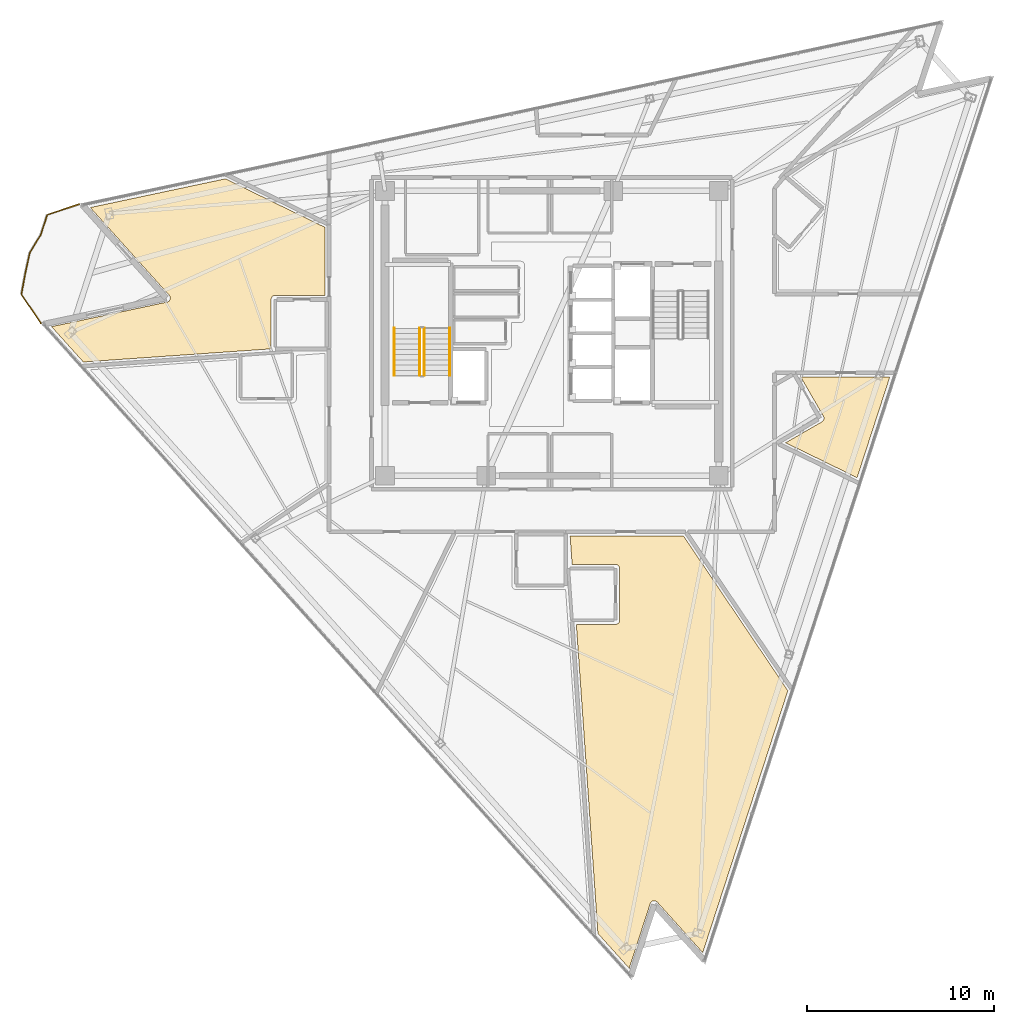
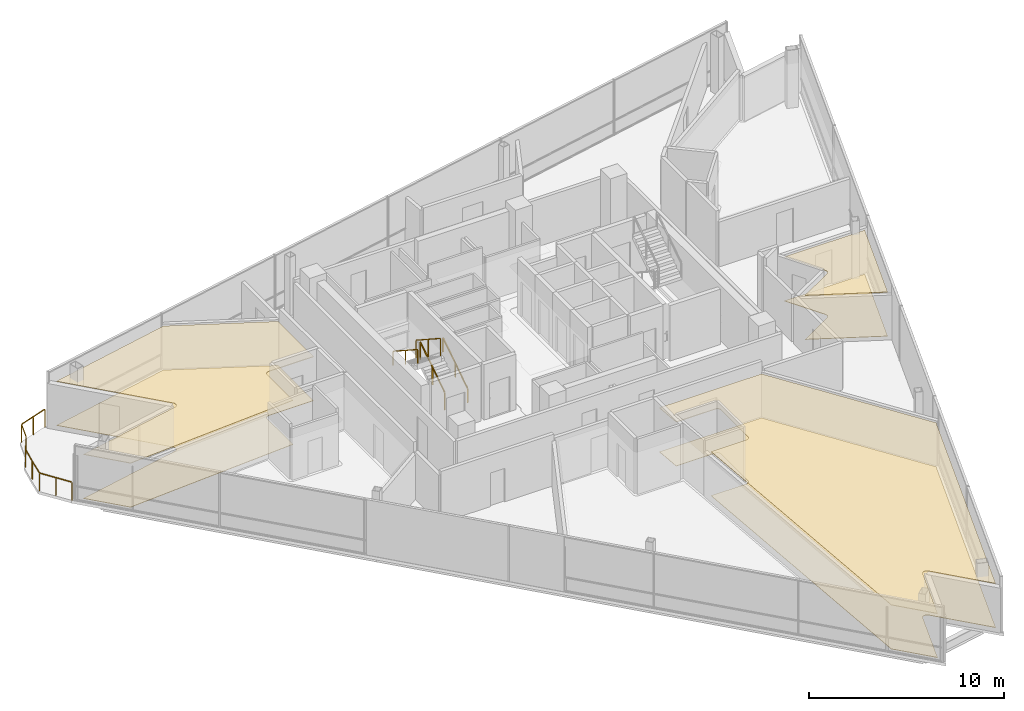
# One storey, part 16 of 18: 6 coverings, 5 railings.
"""IFC4 building model written with IfcOpenShell, lengths in metres."""

from ifc_helpers import new_model, si_unit, direction, frame, origin, origin_2d, place, context, subcontext, project, spatial, polyline, rectangle, outline, extrude, material, layer, layer_set, type_object, element, save


model = new_model("IFC4")

# Units and contexts
model_context = context("Model", 3, precision=1e-05, world=origin(), true_north=direction((0.0, 1.0)))
body_context = subcontext(model_context, "Body", "Model", "MODEL_VIEW")
ifc_project = project(units=[si_unit("LENGTHUNIT", "METRE"), si_unit("AREAUNIT", "SQUARE_METRE"), si_unit("VOLUMEUNIT", "CUBIC_METRE"), si_unit("PLANEANGLEUNIT", "RADIAN"), si_unit("MASSUNIT", "GRAM", prefix="KILO")], contexts=[model_context])

# Site, building, storey
site_placement = place(None, origin())
site = spatial("IfcSite", under=ifc_project, at=site_placement, CompositionType="ELEMENT")
building_placement = place(site_placement, origin())
building = spatial("IfcBuilding", under=site, at=building_placement, Name="Tharavind Bronze Gate", CompositionType="ELEMENT")
storey_placement = place(building_placement, frame((0.0, 0.0, 287.050048828125)))
storey = spatial("IfcBuildingStorey", under=building, at=storey_placement, Name="L74", CompositionType="ELEMENT", Elevation=287.050048828125)

# Coverings
ifc_material_1 = material(Name="Engineered Oak & Carpet Tile", Category="wood")
ifc_layer_1 = layer(ifc_material_1, 0.02490234375)
ifc_layer_set_1 = layer_set([ifc_layer_1], Name="Engineered Oak & Carpet Tile")
covering_type_1 = type_object("IfcCoveringType", Name="ENGINEERED TIMBER FLOORING", PredefinedType="FLOORING", material=ifc_layer_set_1)
covering_1_placement = place(storey_placement, origin())
element("IfcCovering", 1, at=covering_1_placement, inside=storey, type_object=covering_type_1, Name="L74-RM-05 floor finish", PredefinedType="FLOORING", context=body_context, shape_type="SweptSolid", body=[
    extrude(outline(polyline([(-24.988525390625, -1.52685546875), (-14.969970703125, -0.826416015625), (-14.969970703125, 1.810791015625), (-14.968994140625, 1.83251953125), (-14.9658203125, 1.853759765625), (-14.96044921875, 1.874755859375), (-14.953369140625, 1.89501953125), (-14.944091796875, 1.91455078125), (-14.932861328125, 1.93310546875), (-14.920166015625, 1.950439453125), (-14.905517578125, 1.96630859375), (-14.8896484375, 1.98095703125), (-14.872314453125, 1.993896484375), (-14.853759765625, 2.0048828125), (-14.834228515625, 2.01416015625), (-14.81396484375, 2.021484375), (-14.79296875, 2.026611328125), (-14.771484375, 2.02978515625), (-14.75, 2.031005859375), (-12.10009765625, 2.031005859375), (-12.10009765625, 5.65673828125), (-17.408203125, 8.24560546875), (-24.62255859375, 6.712158203125), (-20.408203125, 2.03173828125), (-20.401123046875, 2.023193359375), (-20.400634765625, 2.02294921875), (-20.3876953125, 2.005126953125), (-20.376708984375, 1.986328125), (-20.367431640625, 1.96630859375), (-20.360107421875, 1.94580078125), (-20.35498046875, 1.92431640625), (-20.35205078125, 1.902587890625), (-20.351318359375, 1.880615234375), (-20.352783203125, 1.85888671875), (-20.3564453125, 1.837158203125), (-20.362060546875, 1.81591796875), (-20.369873046875, 1.79541015625), (-20.379638671875, 1.77587890625), (-20.3916015625, 1.75732421875), (-20.405029296875, 1.739990234375), (-20.420166015625, 1.72412109375), (-20.436767578125, 1.7099609375), (-20.454833984375, 1.697509765625), (-20.473876953125, 1.686767578125), (-20.494140625, 1.677978515625), (-20.514892578125, 1.67138671875), (-20.515380859375, 1.671142578125), (-20.526123046875, 1.668701171875), (-26.686767578125, 0.359130859375), (-24.988525390625, -1.52685546875)])), origin(), (0.0, 0.0, 1.0), 0.02490234375),
])
covering_2_placement = place(storey_placement, origin())
element("IfcCovering", 2, at=covering_2_placement, inside=storey, type_object=covering_type_1, Name="L74-RM-09 floor finish", PredefinedType="FLOORING", context=body_context, shape_type="SweptSolid", body=[
    extrude(outline(polyline([(1.082763671875, -12.330078125), (3.398193359375, -12.330078125), (3.419921875, -12.3310546875), (3.441162109375, -12.334228515625), (3.462158203125, -12.339599609375), (3.482421875, -12.3466796875), (3.501953125, -12.35595703125), (3.5205078125, -12.3671875), (3.537841796875, -12.3798828125), (3.5537109375, -12.394287109375), (3.568359375, -12.410400390625), (3.5810546875, -12.427734375), (3.59228515625, -12.4462890625), (3.6015625, -12.4658203125), (3.608642578125, -12.486083984375), (3.614013671875, -12.507080078125), (3.6171875, -12.5283203125), (3.6181640625, -12.550048828125), (3.6181640625, -15.300048828125), (3.6171875, -15.321533203125), (3.614013671875, -15.343017578125), (3.608642578125, -15.364013671875), (3.6015625, -15.38427734375), (3.59228515625, -15.40380859375), (3.5810546875, -15.422119140625), (3.568359375, -15.439697265625), (3.5537109375, -15.45556640625), (3.537841796875, -15.47021484375), (3.5205078125, -15.48291015625), (3.501953125, -15.493896484375), (3.482421875, -15.50341796875), (3.462158203125, -15.510498046875), (3.441162109375, -15.515869140625), (3.419921875, -15.518798828125), (3.398193359375, -15.52001953125), (1.305908203125, -15.52001953125), (2.458984375, -32.010498046875), (4.12939453125, -33.865478515625), (5.25, -30.416748046875), (5.25341796875, -30.406494140625), (5.253662109375, -30.406005859375), (5.262451171875, -30.3857421875), (5.273193359375, -30.36669921875), (5.285888671875, -30.348876953125), (5.30029296875, -30.332275390625), (5.316162109375, -30.317138671875), (5.33349609375, -30.3037109375), (5.352294921875, -30.2919921875), (5.371826171875, -30.282470703125), (5.392333984375, -30.274658203125), (5.41357421875, -30.26904296875), (5.435302734375, -30.265625), (5.45703125, -30.264404296875), (5.47900390625, -30.26513671875), (5.500732421875, -30.268310546875), (5.522216796875, -30.2734375), (5.542724609375, -30.28076171875), (5.5625, -30.2900390625), (5.581298828125, -30.30126953125), (5.59912109375, -30.314208984375), (5.615234375, -30.3291015625), (5.61572265625, -30.32958984375), (5.623291015625, -30.33740234375), (8.0498046875, -33.0322265625), (12.590087890625, -19.058837890625), (7.019287109375, -10.800048828125), (0.9755859375, -10.800048828125), (1.082763671875, -12.330078125)])), origin(), (0.0, 0.0, 1.0), 0.02490234375),
])
covering_3_placement = place(storey_placement, origin())
element("IfcCovering", 3, at=covering_3_placement, inside=storey, type_object=covering_type_1, Name="L74-RM-11 floor finish", PredefinedType="FLOORING", context=body_context, shape_type="SweptSolid", body=[
    extrude(outline(polyline([(14.485595703125, -4.417724609375), (14.495361328125, -4.43701171875), (14.50341796875, -4.45703125), (14.50927734375, -4.477783203125), (14.51318359375, -4.4990234375), (14.514892578125, -4.5205078125), (14.514404296875, -4.542236328125), (14.511962890625, -4.563720703125), (14.507568359375, -4.584716796875), (14.5009765625, -4.605224609375), (14.4921875, -4.625), (14.481689453125, -4.64404296875), (14.469482421875, -4.661865234375), (14.45556640625, -4.67822265625), (14.43994140625, -4.693115234375), (14.423095703125, -4.706787109375), (14.405029296875, -4.71826171875), (12.46826171875, -5.83642578125), (16.281982421875, -7.6962890625), (18.02880859375, -2.320068359375), (13.2744140625, -2.320068359375), (14.485595703125, -4.417724609375)])), origin(), (0.0, 0.0, 1.0), 0.02490234375),
])
ifc_material_2 = material(Name="Acoustic Gypsum Board", Category="gypsum")
ifc_layer_2 = layer(ifc_material_2, 0.030029296875)
ifc_layer_set_2 = layer_set([ifc_layer_2], Name="Acoustic Gypsum Board")
covering_type_2 = type_object("IfcCoveringType", Name="GYPSUM SUSPENDED CEILING", PredefinedType="CEILING", material=ifc_layer_set_2)
covering_4_placement = place(storey_placement, frame((0.0, 0.0, 2.75)))
element("IfcCovering", 4, at=covering_4_placement, inside=storey, type_object=covering_type_2, Name="L74-RM-05 suspended ceiling", PredefinedType="CEILING", context=body_context, shape_type="SweptSolid", body=[
    extrude(outline(polyline([(-24.988525390625, -1.52685546875), (-14.969970703125, -0.826416015625), (-14.969970703125, 1.810791015625), (-14.968994140625, 1.83251953125), (-14.9658203125, 1.853759765625), (-14.96044921875, 1.874755859375), (-14.953369140625, 1.89501953125), (-14.944091796875, 1.91455078125), (-14.932861328125, 1.93310546875), (-14.920166015625, 1.950439453125), (-14.905517578125, 1.96630859375), (-14.8896484375, 1.98095703125), (-14.872314453125, 1.993896484375), (-14.853759765625, 2.0048828125), (-14.834228515625, 2.01416015625), (-14.81396484375, 2.021484375), (-14.79296875, 2.026611328125), (-14.771484375, 2.02978515625), (-14.75, 2.031005859375), (-12.10009765625, 2.031005859375), (-12.10009765625, 5.65673828125), (-17.408203125, 8.24560546875), (-24.62255859375, 6.712158203125), (-20.408203125, 2.03173828125), (-20.401123046875, 2.023193359375), (-20.400634765625, 2.02294921875), (-20.3876953125, 2.005126953125), (-20.376708984375, 1.986328125), (-20.367431640625, 1.96630859375), (-20.360107421875, 1.94580078125), (-20.35498046875, 1.92431640625), (-20.35205078125, 1.902587890625), (-20.351318359375, 1.880615234375), (-20.352783203125, 1.85888671875), (-20.3564453125, 1.837158203125), (-20.362060546875, 1.81591796875), (-20.369873046875, 1.79541015625), (-20.379638671875, 1.77587890625), (-20.3916015625, 1.75732421875), (-20.405029296875, 1.739990234375), (-20.420166015625, 1.72412109375), (-20.436767578125, 1.7099609375), (-20.454833984375, 1.697509765625), (-20.473876953125, 1.686767578125), (-20.494140625, 1.677978515625), (-20.514892578125, 1.67138671875), (-20.515380859375, 1.671142578125), (-20.526123046875, 1.668701171875), (-26.686767578125, 0.359130859375), (-24.988525390625, -1.52685546875)])), origin(), (0.0, 0.0, 1.0), 0.034912109375),
])
covering_5_placement = place(storey_placement, frame((0.0, 0.0, 2.75)))
element("IfcCovering", 5, at=covering_5_placement, inside=storey, type_object=covering_type_2, Name="L74-RM-09 suspended ceiling", PredefinedType="CEILING", context=body_context, shape_type="SweptSolid", body=[
    extrude(outline(polyline([(1.082763671875, -12.330078125), (3.398193359375, -12.330078125), (3.419921875, -12.3310546875), (3.441162109375, -12.334228515625), (3.462158203125, -12.339599609375), (3.482421875, -12.3466796875), (3.501953125, -12.35595703125), (3.5205078125, -12.3671875), (3.537841796875, -12.3798828125), (3.5537109375, -12.394287109375), (3.568359375, -12.410400390625), (3.5810546875, -12.427734375), (3.59228515625, -12.4462890625), (3.6015625, -12.4658203125), (3.608642578125, -12.486083984375), (3.614013671875, -12.507080078125), (3.6171875, -12.5283203125), (3.6181640625, -12.550048828125), (3.6181640625, -15.300048828125), (3.6171875, -15.321533203125), (3.614013671875, -15.343017578125), (3.608642578125, -15.364013671875), (3.6015625, -15.38427734375), (3.59228515625, -15.40380859375), (3.5810546875, -15.422119140625), (3.568359375, -15.439697265625), (3.5537109375, -15.45556640625), (3.537841796875, -15.47021484375), (3.5205078125, -15.48291015625), (3.501953125, -15.493896484375), (3.482421875, -15.50341796875), (3.462158203125, -15.510498046875), (3.441162109375, -15.515869140625), (3.419921875, -15.518798828125), (3.398193359375, -15.52001953125), (1.305908203125, -15.52001953125), (2.458984375, -32.010498046875), (4.12939453125, -33.865478515625), (5.25, -30.416748046875), (5.25341796875, -30.406494140625), (5.253662109375, -30.406005859375), (5.262451171875, -30.3857421875), (5.273193359375, -30.36669921875), (5.285888671875, -30.348876953125), (5.30029296875, -30.332275390625), (5.316162109375, -30.317138671875), (5.33349609375, -30.3037109375), (5.352294921875, -30.2919921875), (5.371826171875, -30.282470703125), (5.392333984375, -30.274658203125), (5.41357421875, -30.26904296875), (5.435302734375, -30.265625), (5.45703125, -30.264404296875), (5.47900390625, -30.26513671875), (5.500732421875, -30.268310546875), (5.522216796875, -30.2734375), (5.542724609375, -30.28076171875), (5.5625, -30.2900390625), (5.581298828125, -30.30126953125), (5.59912109375, -30.314208984375), (5.615234375, -30.3291015625), (5.61572265625, -30.32958984375), (5.623291015625, -30.33740234375), (8.0498046875, -33.0322265625), (12.590087890625, -19.058837890625), (7.019287109375, -10.800048828125), (0.9755859375, -10.800048828125), (1.082763671875, -12.330078125)])), origin(), (0.0, 0.0, 1.0), 0.034912109375),
])
covering_6_placement = place(storey_placement, frame((0.0, 0.0, 2.75)))
element("IfcCovering", 6, at=covering_6_placement, inside=storey, type_object=covering_type_2, Name="L74-RM-11 suspended ceiling", PredefinedType="CEILING", context=body_context, shape_type="SweptSolid", body=[
    extrude(outline(polyline([(14.485595703125, -4.417724609375), (14.495361328125, -4.43701171875), (14.50341796875, -4.45703125), (14.50927734375, -4.477783203125), (14.51318359375, -4.4990234375), (14.514892578125, -4.5205078125), (14.514404296875, -4.542236328125), (14.511962890625, -4.563720703125), (14.507568359375, -4.584716796875), (14.5009765625, -4.605224609375), (14.4921875, -4.625), (14.481689453125, -4.64404296875), (14.469482421875, -4.661865234375), (14.45556640625, -4.67822265625), (14.43994140625, -4.693115234375), (14.423095703125, -4.706787109375), (14.405029296875, -4.71826171875), (12.46826171875, -5.83642578125), (16.281982421875, -7.6962890625), (18.02880859375, -2.320068359375), (13.2744140625, -2.320068359375), (14.485595703125, -4.417724609375)])), origin(), (0.0, 0.0, 1.0), 0.034912109375),
])

# Railings
ifc_material_3 = material(Name="Brushed Bronze Alloy", Category="metal")
railing_type_1 = type_object("IfcRailingType", Name="STAIR BRONZE HANDRAIL 900", PredefinedType="HANDRAIL", material=ifc_material_3)
railing_1_placement = place(storey_placement, frame((-5.449951171875, -2.25, 0.182373046875)))
element("IfcRailing", 7, at=railing_1_placement, inside=storey, type_object=railing_type_1, Name="L74 ST1 stair handrail 1", PredefinedType="HANDRAIL", context=body_context, shape_type="SweptSolid", body=[
    extrude(rectangle(XDim=0.048095703125, YDim=0.048095703125, at=origin_2d()), frame((0.0, 0.02685546875, 0.893310546875), z_axis=(0.0, 0.837749427056, 0.546054848405), x_axis=(-1.0, 0.0, 0.0)), (0.0, 0.0, 1.0), 2.944091796875),
    extrude(rectangle(XDim=0.0400390625, YDim=0.0400390625, at=origin_2d()), origin(), (0.0, 0.0, 1.0), 0.847900390625),
    extrude(rectangle(XDim=0.0400390625, YDim=0.0400390625, at=origin_2d()), frame((0.0, 1.260009765625, 0.8212890625)), (0.0, 0.0, 1.0), 0.847900390625),
    extrude(rectangle(XDim=0.0400390625, YDim=0.0400390625, at=origin_2d()), frame((0.0, 2.52001953125, 1.642578125)), (0.0, 0.0, 1.0), 0.847900390625),
])
railing_2_placement = place(storey_placement, frame((-8.39990234375, 0.27001953125, 2.007568359375)))
element("IfcRailing", 8, at=railing_2_placement, inside=storey, type_object=railing_type_1, Name="L74 ST1 stair handrail 2", PredefinedType="HANDRAIL", context=body_context, shape_type="SweptSolid", body=[
    extrude(rectangle(XDim=0.048095703125, YDim=0.048095703125, at=origin_2d()), frame((0.0, -0.02685546875, 0.893310546875), z_axis=(0.0, -0.837786554691, 0.545997883492), x_axis=(1.0, 0.0, 0.0)), (0.0, 0.0, 1.0), 2.94384765625),
    extrude(rectangle(XDim=0.0400390625, YDim=0.0400390625, at=origin_2d()), origin(), (0.0, 0.0, 1.0), 0.847900390625),
    extrude(rectangle(XDim=0.0400390625, YDim=0.0400390625, at=origin_2d()), frame((0.0, -1.260009765625, 0.8212890625)), (0.0, 0.0, 1.0), 0.847900390625),
    extrude(rectangle(XDim=0.0400390625, YDim=0.0400390625, at=origin_2d()), frame((0.0, -2.52001953125, 1.642333984375)), (0.0, 0.0, 1.0), 0.847900390625),
])
railing_type_2 = type_object("IfcRailingType", Name="STAIR WELL GUARD RAILING 1120", PredefinedType="GUARDRAIL", material=ifc_material_3)
railing_3_placement = place(storey_placement, frame((-6.800048828125, -2.25, 0.182373046875)))
element("IfcRailing", 9, at=railing_3_placement, inside=storey, type_object=railing_type_2, Name="L74 ST1 stair guard 1", PredefinedType="GUARDRAIL", context=body_context, shape_type="SweptSolid", body=[
    extrude(rectangle(XDim=0.048095703125, YDim=0.048095703125, at=origin_2d()), frame((0.0, 0.02685546875, 1.113525390625), z_axis=(0.0, 0.837749427056, 0.546054848405), x_axis=(-1.0, 0.0, 0.0)), (0.0, 0.0, 1.0), 2.944091796875),
    extrude(rectangle(XDim=0.0400390625, YDim=0.0400390625, at=origin_2d()), origin(), (0.0, 0.0, 1.0), 1.068115234375),
    extrude(rectangle(XDim=0.0400390625, YDim=0.0400390625, at=origin_2d()), frame((0.0, 1.260009765625, 0.8212890625)), (0.0, 0.0, 1.0), 1.068115234375),
    extrude(rectangle(XDim=0.0400390625, YDim=0.0400390625, at=origin_2d()), frame((0.0, 2.52001953125, 1.642578125)), (0.0, 0.0, 1.0), 1.068115234375),
])
railing_4_placement = place(storey_placement, frame((-7.050048828125, 0.27001953125, 2.007568359375)))
element("IfcRailing", 10, at=railing_4_placement, inside=storey, type_object=railing_type_2, Name="L74 ST1 stair guard 3", PredefinedType="GUARDRAIL", context=body_context, shape_type="SweptSolid", body=[
    extrude(rectangle(XDim=0.048095703125, YDim=0.048095703125, at=origin_2d()), frame((0.0, -0.02685546875, 1.113525390625), z_axis=(0.0, -0.837786554691, 0.545997883492), x_axis=(1.0, 0.0, 0.0)), (0.0, 0.0, 1.0), 2.94384765625),
    extrude(rectangle(XDim=0.0400390625, YDim=0.0400390625, at=origin_2d()), origin(), (0.0, 0.0, 1.0), 1.068115234375),
    extrude(rectangle(XDim=0.0400390625, YDim=0.0400390625, at=origin_2d()), frame((0.0, -1.260009765625, 0.8212890625)), (0.0, 0.0, 1.0), 1.068115234375),
    extrude(rectangle(XDim=0.0400390625, YDim=0.0400390625, at=origin_2d()), frame((0.0, -2.52001953125, 1.642333984375)), (0.0, 0.0, 1.0), 1.068115234375),
])
ifc_material_4 = material(Name="Bronze Cap & Laminated Glass", Category="glass")
railing_type_3 = type_object("IfcRailingType", Name="TERRACE GLASS GUARD RAILING 1150", PredefinedType="GUARDRAIL", material=ifc_material_4)
railing_5_placement = place(storey_placement, frame((-27.257568359375, 0.544677734375, 0.0)))
element("IfcRailing", 11, at=railing_5_placement, inside=storey, type_object=railing_type_3, Name="L74 tree balcony guard railing", PredefinedType="GUARDRAIL", context=body_context, shape_type="SweptSolid", body=[
    extrude(rectangle(XDim=0.048095703125, YDim=0.048095703125, at=origin_2d()), frame((-0.017822265625, 0.026611328125, 1.1259765625), z_axis=(-0.558006967266, 0.829836263658, 0.0), x_axis=(-0.829836263658, -0.558006967266, 0.0)), (0.0, 0.0, 1.0), 1.790771484375),
    extrude(rectangle(XDim=0.048095703125, YDim=0.048095703125, at=origin_2d()), frame((-1.029052734375, 1.570556640625, 1.1259765625), z_axis=(0.181084966823, 0.983467454871, 0.0), x_axis=(-0.983467454871, 0.181084966823, 0.0)), (0.0, 0.0, 1.0), 1.05908203125),
    extrude(rectangle(XDim=0.048095703125, YDim=0.048095703125, at=origin_2d()), frame((-0.82470703125, 2.6748046875, 1.1259765625), z_axis=(0.212076358892, 0.977253098229, 0.0), x_axis=(-0.977253098229, 0.212076358892, 0.0)), (0.0, 0.0, 1.0), 1.054931640625),
    extrude(rectangle(XDim=0.048095703125, YDim=0.048095703125, at=origin_2d()), frame((-0.57763671875, 3.764404296875, 1.1259765625), z_axis=(0.517193856548, 0.855868281191, 0.0), x_axis=(-0.855868281191, 0.517193856548, 0.0)), (0.0, 0.0, 1.0), 1.079345703125),
    extrude(rectangle(XDim=0.048095703125, YDim=0.048095703125, at=origin_2d()), frame((0.007080078125, 4.74609375, 1.1259765625), z_axis=(0.309180276792, 0.951003447125, 0.0), x_axis=(-0.951003447125, 0.309180276792, 0.0)), (0.0, 0.0, 1.0), 1.04931640625),
    extrude(rectangle(XDim=0.048095703125, YDim=0.048095703125, at=origin_2d()), frame((0.37158203125, 5.78466796875, 1.1259765625), z_axis=(0.947982555564, 0.31832228063, 0.0), x_axis=(-0.31832228063, 0.947982555564, 0.0)), (0.0, 0.0, 1.0), 1.753662109375),
    extrude(rectangle(XDim=0.0400390625, YDim=0.0400390625, at=origin_2d()), origin(), (0.0, 0.0, 1.0), 1.097900390625),
    extrude(rectangle(XDim=0.0400390625, YDim=0.0400390625, at=origin_2d()), frame((-0.517578125, 0.76953125, 0.0)), (0.0, 0.0, 1.0), 1.097900390625),
    extrude(rectangle(XDim=0.0400390625, YDim=0.0400390625, at=origin_2d()), frame((-1.034912109375, 1.5390625, 0.0)), (0.0, 0.0, 1.0), 1.097900390625),
    extrude(rectangle(XDim=0.0400390625, YDim=0.0400390625, at=origin_2d()), frame((-0.83154296875, 2.6435546875, 0.0)), (0.0, 0.0, 1.0), 1.097900390625),
    extrude(rectangle(XDim=0.0400390625, YDim=0.0400390625, at=origin_2d()), frame((-0.59423828125, 3.737060546875, 0.0)), (0.0, 0.0, 1.0), 1.097900390625),
    extrude(rectangle(XDim=0.0400390625, YDim=0.0400390625, at=origin_2d()), frame((-0.0029296875, 4.715576171875, 0.0)), (0.0, 0.0, 1.0), 1.097900390625),
    extrude(rectangle(XDim=0.0400390625, YDim=0.0400390625, at=origin_2d()), frame((0.34130859375, 5.7744140625, 0.0)), (0.0, 0.0, 1.0), 1.097900390625),
    extrude(rectangle(XDim=0.0400390625, YDim=0.0400390625, at=origin_2d()), frame((1.202880859375, 6.063720703125, 0.0)), (0.0, 0.0, 1.0), 1.097900390625),
    extrude(rectangle(XDim=0.0400390625, YDim=0.0400390625, at=origin_2d()), frame((2.064453125, 6.35302734375, 0.0)), (0.0, 0.0, 1.0), 1.097900390625),
])

save(model, "model.ifc")
